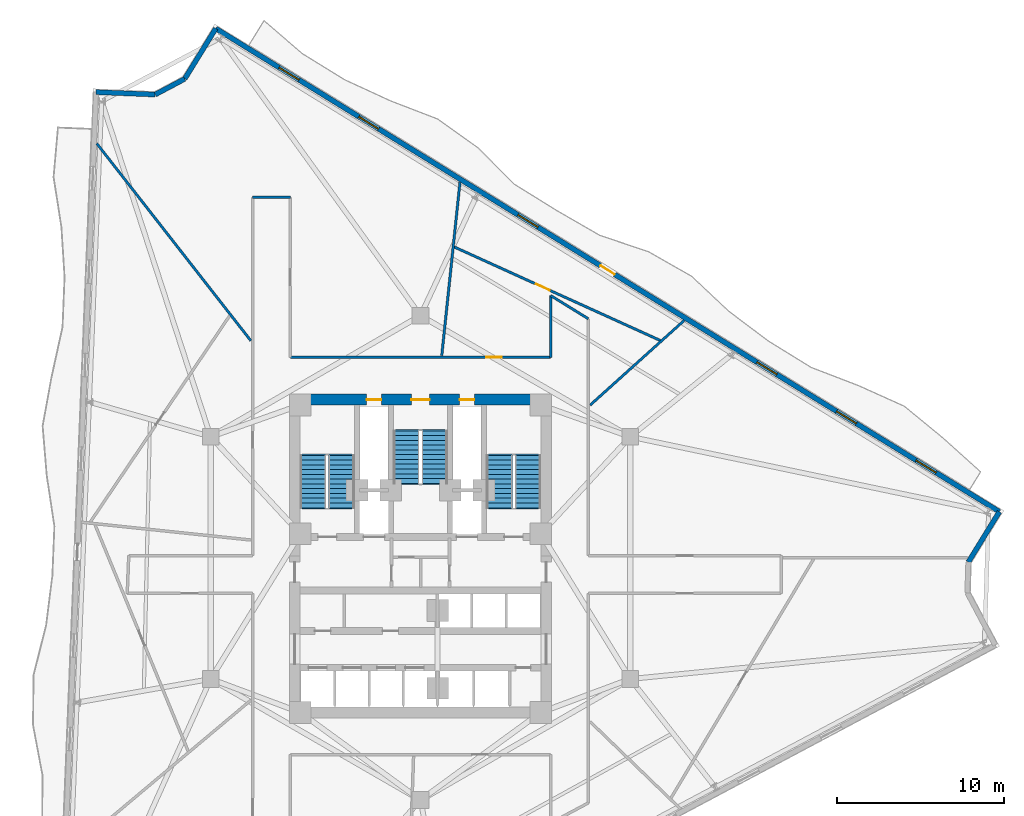
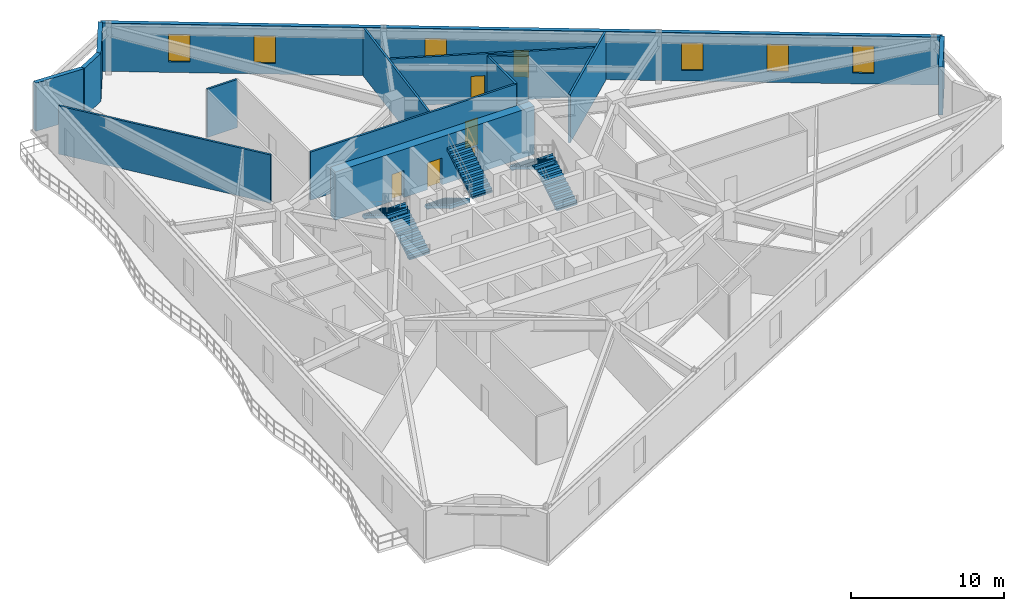
# One storey, part 7 of 10: 14 walls, 6 doors, 6 stair flights, 6 windows, 12 openings, 3 elements without a shape of their own.
"""IFC4 building model written with IfcOpenShell, lengths in metres."""

from ifc_helpers import new_model, si_unit, direction, frame, frame_2d, origin, place, context, subcontext, project, spatial, polyline, rectangle, outline, extrude, material, layer, layer_set, type_object, element, fill, aggregate, save


model = new_model("IFC4")

# Units and contexts
model_context = context("Model", 3, precision=1e-05, world=origin(), true_north=direction((0.0, 1.0)))
body_context = subcontext(model_context, "Body", "Model", "MODEL_VIEW")
ifc_project = project(units=[si_unit("LENGTHUNIT", "METRE"), si_unit("AREAUNIT", "SQUARE_METRE"), si_unit("VOLUMEUNIT", "CUBIC_METRE"), si_unit("PLANEANGLEUNIT", "RADIAN"), si_unit("MASSUNIT", "GRAM", prefix="KILO")], contexts=[model_context])

# Site, building, storey
site_placement = place(None, origin())
site = spatial("IfcSite", under=ifc_project, at=site_placement, CompositionType="ELEMENT")
building_placement = place(site_placement, origin())
building = spatial("IfcBuilding", under=site, at=building_placement, Name="Apsidion Concourse Tower", CompositionType="ELEMENT")
storey_placement = place(building_placement, frame((0.0, 0.0, 177.800048828125)))
storey = spatial("IfcBuildingStorey", under=building, at=storey_placement, Name="L41", CompositionType="ELEMENT", Elevation=177.800048828125)

# Wall, openings, door, windows
ifc_material_1 = material(Name="Precast concrete C40/50", Category="concrete")
ifc_layer_1 = layer(ifc_material_1, 0.300048828125)
ifc_layer_set_1 = layer_set([ifc_layer_1], Name="Precast concrete C40/50")
wall_type_1 = type_object("IfcWallType", Name="WL-EXT-300", PredefinedType="STANDARD", material=ifc_layer_set_1)
wall_1_placement = place(storey_placement, frame((-12.255126953125, 31.68896484375, 0.0), z_axis=(0.0, 0.0, 1.0), x_axis=(0.851166647402, -0.524895549944, 0.0)))
wall_1 = element("IfcWall", 1, at=wall_1_placement, inside=storey, type_object=wall_type_1, Name="L41 Precast Stone Facade Wall 01", PredefinedType="STANDARD", context=body_context, shape_type="SweptSolid", body=[
    extrude(rectangle(XDim=55.110595703125, YDim=0.300048828125, at=frame_2d((27.55517578125, 0.0))), origin(), (0.0, 0.0, 1.0), 3.849853515625),
])
opening_1_placement = place(wall_1_placement, frame((27.055419921875, 0.0, 0.0)))
opening_1 = element("IfcOpeningElement", 2, at=opening_1_placement, cuts=wall_1, Name="Opening D-T1R", PredefinedType="OPENING", context=body_context, shape_type="SweptSolid", body=[
    extrude(rectangle(XDim=1.0, YDim=2.14990234375, at=frame_2d((0.5, 1.074951171875))), frame((0.0, 0.16015625, 0.0), z_axis=(0.0, -1.0, 0.0), x_axis=(1.0, 0.0, 0.0)), (0.0, 0.0, 1.0), 0.320068359375),
])
opening_2_placement = place(wall_1_placement, frame((4.455322265625, 0.0, 0.85009765625)))
opening_2 = element("IfcOpeningElement", 3, at=opening_2_placement, cuts=wall_1, Name="Opening WN-05", PredefinedType="OPENING", context=body_context, shape_type="SweptSolid", body=[
    extrude(rectangle(XDim=1.39990234375, YDim=2.199951171875, at=frame_2d((0.699951171875, 1.10009765625))), frame((0.0, 0.16015625, 0.0), z_axis=(0.0, -1.0, 0.0), x_axis=(1.0, 0.0, 0.0)), (0.0, 0.0, 1.0), 0.320068359375),
])
opening_3_placement = place(wall_1_placement, frame((10.055419921875, 0.0, 0.85009765625)))
opening_3 = element("IfcOpeningElement", 4, at=opening_3_placement, cuts=wall_1, Name="Opening WN-05", PredefinedType="OPENING", context=body_context, shape_type="SweptSolid", body=[
    extrude(rectangle(XDim=1.39990234375, YDim=2.199951171875, at=frame_2d((0.699951171875, 1.10009765625))), frame((0.0, 0.16015625, 0.0), z_axis=(0.0, -1.0, 0.0), x_axis=(1.0, 0.0, 0.0)), (0.0, 0.0, 1.0), 0.320068359375),
])
opening_4_placement = place(wall_1_placement, frame((21.25537109375, 0.0, 0.85009765625)))
opening_4 = element("IfcOpeningElement", 5, at=opening_4_placement, cuts=wall_1, Name="Opening WN-05", PredefinedType="OPENING", context=body_context, shape_type="SweptSolid", body=[
    extrude(rectangle(XDim=1.39990234375, YDim=2.199951171875, at=frame_2d((0.699951171875, 1.10009765625))), frame((0.0, 0.16015625, 0.0), z_axis=(0.0, -1.0, 0.0), x_axis=(1.0, 0.0, 0.0)), (0.0, 0.0, 1.0), 0.320068359375),
])
opening_5_placement = place(wall_1_placement, frame((38.055419921875, 0.0, 0.85009765625)))
opening_5 = element("IfcOpeningElement", 6, at=opening_5_placement, cuts=wall_1, Name="Opening WN-05", PredefinedType="OPENING", context=body_context, shape_type="SweptSolid", body=[
    extrude(rectangle(XDim=1.39990234375, YDim=2.199951171875, at=frame_2d((0.699951171875, 1.10009765625))), frame((0.0, 0.16015625, 0.0), z_axis=(0.0, -1.0, 0.0), x_axis=(1.0, 0.0, 0.0)), (0.0, 0.0, 1.0), 0.320068359375),
])
opening_6_placement = place(wall_1_placement, frame((43.6552734375, 0.0, 0.85009765625)))
opening_6 = element("IfcOpeningElement", 7, at=opening_6_placement, cuts=wall_1, Name="Opening WN-05", PredefinedType="OPENING", context=body_context, shape_type="SweptSolid", body=[
    extrude(rectangle(XDim=1.39990234375, YDim=2.199951171875, at=frame_2d((0.699951171875, 1.10009765625))), frame((0.0, 0.16015625, 0.0), z_axis=(0.0, -1.0, 0.0), x_axis=(1.0, 0.0, 0.0)), (0.0, 0.0, 1.0), 0.320068359375),
])
opening_7_placement = place(wall_1_placement, frame((49.25537109375, 0.0, 0.85009765625)))
opening_7 = element("IfcOpeningElement", 8, at=opening_7_placement, cuts=wall_1, Name="Opening WN-05", PredefinedType="OPENING", context=body_context, shape_type="SweptSolid", body=[
    extrude(rectangle(XDim=1.39990234375, YDim=2.199951171875, at=frame_2d((0.699951171875, 1.10009765625))), frame((0.0, 0.16015625, 0.0), z_axis=(0.0, -1.0, 0.0), x_axis=(1.0, 0.0, 0.0)), (0.0, 0.0, 1.0), 0.320068359375),
])
ifc_material_2 = material(Name="Anodised aluminium EN AW-6063 T6", Category="aluminium")
door_type_1 = type_object("IfcDoorType", Name="DR-TER-1022R", OperationType="SINGLE_SWING_RIGHT", PredefinedType="DOOR", material=ifc_material_2)
door_1_placement = place(opening_1_placement, origin())
door_1 = element("IfcDoor", 9, at=door_1_placement, inside=storey, type_object=door_type_1, Name="L41 Balcony Access Door 1", OperationType="SINGLE_SWING_RIGHT", OverallHeight=2.14990234375, OverallWidth=1.0, PredefinedType="DOOR", context=body_context, shape_type="SweptSolid", body=[
    extrude(rectangle(XDim=1.0, YDim=2.14990234375, at=frame_2d((0.5, 1.074951171875))), frame((0.0, 0.02490234375, 0.0), z_axis=(0.0, -1.0, 0.0), x_axis=(1.0, 0.0, 0.0)), (0.0, 0.0, 1.0), 0.050048828125),
])
fill(opening_1, door_1)
ifc_material_3 = material(Name="Insulated laminated low-E glass", Category="glass")
window_type = type_object("IfcWindowType", Name="WN-OFF-1424", PartitioningType="SINGLE_PANEL", PredefinedType="WINDOW", material=ifc_material_3)
window_1_placement = place(opening_2_placement, origin())
window_1 = element("IfcWindow", 10, at=window_1_placement, inside=storey, type_object=window_type, Name="L41 Punched Facade Window 1-01", OverallHeight=2.199951171875, OverallWidth=1.39990234375, PartitioningType="SINGLE_PANEL", PredefinedType="WINDOW", context=body_context, shape_type="SweptSolid", body=[
    extrude(rectangle(XDim=1.39990234375, YDim=2.199951171875, at=frame_2d((0.699951171875, 1.10009765625))), frame((0.0, 0.030029296875, 0.0), z_axis=(0.0, -1.0, 0.0), x_axis=(1.0, 0.0, 0.0)), (0.0, 0.0, 1.0), 0.06005859375),
])
fill(opening_2, window_1)
window_2_placement = place(opening_3_placement, origin())
window_2 = element("IfcWindow", 11, at=window_2_placement, inside=storey, type_object=window_type, Name="L41 Punched Facade Window 1-02", OverallHeight=2.199951171875, OverallWidth=1.39990234375, PartitioningType="SINGLE_PANEL", PredefinedType="WINDOW", context=body_context, shape_type="SweptSolid", body=[
    extrude(rectangle(XDim=1.39990234375, YDim=2.199951171875, at=frame_2d((0.699951171875, 1.10009765625))), frame((0.0, 0.030029296875, 0.0), z_axis=(0.0, -1.0, 0.0), x_axis=(1.0, 0.0, 0.0)), (0.0, 0.0, 1.0), 0.06005859375),
])
fill(opening_3, window_2)
window_3_placement = place(opening_4_placement, origin())
window_3 = element("IfcWindow", 12, at=window_3_placement, inside=storey, type_object=window_type, Name="L41 Punched Facade Window 1-04", OverallHeight=2.199951171875, OverallWidth=1.39990234375, PartitioningType="SINGLE_PANEL", PredefinedType="WINDOW", context=body_context, shape_type="SweptSolid", body=[
    extrude(rectangle(XDim=1.39990234375, YDim=2.199951171875, at=frame_2d((0.699951171875, 1.10009765625))), frame((0.0, 0.030029296875, 0.0), z_axis=(0.0, -1.0, 0.0), x_axis=(1.0, 0.0, 0.0)), (0.0, 0.0, 1.0), 0.06005859375),
])
fill(opening_4, window_3)
window_4_placement = place(opening_5_placement, origin())
window_4 = element("IfcWindow", 13, at=window_4_placement, inside=storey, type_object=window_type, Name="L41 Punched Facade Window 1-07", OverallHeight=2.199951171875, OverallWidth=1.39990234375, PartitioningType="SINGLE_PANEL", PredefinedType="WINDOW", context=body_context, shape_type="SweptSolid", body=[
    extrude(rectangle(XDim=1.39990234375, YDim=2.199951171875, at=frame_2d((0.699951171875, 1.10009765625))), frame((0.0, 0.030029296875, 0.0), z_axis=(0.0, -1.0, 0.0), x_axis=(1.0, 0.0, 0.0)), (0.0, 0.0, 1.0), 0.06005859375),
])
fill(opening_5, window_4)
window_5_placement = place(opening_6_placement, origin())
window_5 = element("IfcWindow", 14, at=window_5_placement, inside=storey, type_object=window_type, Name="L41 Punched Facade Window 1-08", OverallHeight=2.199951171875, OverallWidth=1.39990234375, PartitioningType="SINGLE_PANEL", PredefinedType="WINDOW", context=body_context, shape_type="SweptSolid", body=[
    extrude(rectangle(XDim=1.39990234375, YDim=2.199951171875, at=frame_2d((0.699951171875, 1.10009765625))), frame((0.0, 0.030029296875, 0.0), z_axis=(0.0, -1.0, 0.0), x_axis=(1.0, 0.0, 0.0)), (0.0, 0.0, 1.0), 0.06005859375),
])
fill(opening_6, window_5)
window_6_placement = place(opening_7_placement, origin())
window_6 = element("IfcWindow", 15, at=window_6_placement, inside=storey, type_object=window_type, Name="L41 Punched Facade Window 1-09", OverallHeight=2.199951171875, OverallWidth=1.39990234375, PartitioningType="SINGLE_PANEL", PredefinedType="WINDOW", context=body_context, shape_type="SweptSolid", body=[
    extrude(rectangle(XDim=1.39990234375, YDim=2.199951171875, at=frame_2d((0.699951171875, 1.10009765625))), frame((0.0, 0.030029296875, 0.0), z_axis=(0.0, -1.0, 0.0), x_axis=(1.0, 0.0, 0.0)), (0.0, 0.0, 1.0), 0.06005859375),
])
fill(opening_7, window_6)

# Walls
wall_2_placement = place(storey_placement, frame((34.653076171875, 2.76171875, 0.0), z_axis=(0.0, 0.0, 1.0), x_axis=(-0.524920336071, -0.85115136185, 0.0)))
element("IfcWall", 16, at=wall_2_placement, inside=storey, type_object=wall_type_1, Name="L41 Precast Stone Facade Wall 02", PredefinedType="STANDARD", context=body_context, shape_type="SweptSolid", body=[
    extrude(rectangle(XDim=3.541259765625, YDim=0.300048828125, at=frame_2d((1.7705078125, 0.0))), origin(), (0.0, 0.0, 1.0), 3.849853515625),
])
wall_3_placement = place(storey_placement, frame((-19.418212890625, 27.880126953125, 0.0), z_axis=(0.0, 0.0, 1.0), x_axis=(0.999167250485, -0.040802028853, 0.0)))
element("IfcWall", 17, at=wall_3_placement, inside=storey, type_object=wall_type_1, Name="L41 Precast Stone Facade Wall 10", PredefinedType="STANDARD", context=body_context, shape_type="SweptSolid", body=[
    extrude(rectangle(XDim=3.542236328125, YDim=0.300048828125, at=frame_2d((1.77099609375, 0.0))), origin(), (0.0, 0.0, 1.0), 3.849853515625),
])
wall_4_placement = place(storey_placement, frame((-15.87890625, 27.735595703125, 0.0), z_axis=(0.0, 0.0, 1.0), x_axis=(0.882930579665, 0.469503558552, 0.0)))
element("IfcWall", 18, at=wall_4_placement, inside=storey, type_object=wall_type_1, Name="L41 Precast Stone Facade Wall 11", PredefinedType="STANDARD", context=body_context, shape_type="SweptSolid", body=[
    extrude(rectangle(XDim=1.998291015625, YDim=0.300048828125, at=frame_2d((0.9990234375, 0.0))), origin(), (0.0, 0.0, 1.0), 3.849853515625),
])
wall_5_placement = place(storey_placement, frame((-14.114501953125, 28.673828125, 0.0), z_axis=(0.0, 0.0, 1.0), x_axis=(0.524897025004, 0.851165737763, 0.0)))
element("IfcWall", 19, at=wall_5_placement, inside=storey, type_object=wall_type_1, Name="L41 Precast Stone Facade Wall 12", PredefinedType="STANDARD", context=body_context, shape_type="SweptSolid", body=[
    extrude(rectangle(XDim=3.54248046875, YDim=0.300048828125, at=frame_2d((1.771240234375, 0.0))), origin(), (0.0, 0.0, 1.0), 3.849853515625),
])
ifc_material_4 = material(Name="Gypsum plasterboard partition")
ifc_layer_2 = layer(ifc_material_4, 0.14990234375)
ifc_layer_set_2 = layer_set([ifc_layer_2], Name="Gypsum plasterboard partition")
wall_type_2 = type_object("IfcWallType", Name="WL-INT-PAR-150", PredefinedType="PARTITIONING", material=ifc_layer_set_2)
wall_6_placement = place(storey_placement, frame((-10.050048828125, 21.580078125, 0.0), z_axis=(0.0, 0.0, 1.0), x_axis=(1.0, 0.0, 0.0)))
element("IfcWall", 20, at=wall_6_placement, inside=storey, type_object=wall_type_2, Name="L41 Interior Partition WL-L41-CORR-11", PredefinedType="PARTITIONING", context=body_context, shape_type="SweptSolid", body=[
    extrude(rectangle(XDim=2.260009765625, YDim=0.14990234375, at=frame_2d((1.1298828125, 0.0))), origin(), (0.0, 0.0, 1.0), 3.849853515625),
])

# Wall, opening, door
wall_7_placement = place(storey_placement, frame((-7.7900390625, 12.0, 0.0), z_axis=(0.0, 0.0, 1.0), x_axis=(1.0, 0.0, 0.0)))
wall_7 = element("IfcWall", 21, at=wall_7_placement, inside=storey, type_object=wall_type_2, Name="L41 Interior Partition WL-L41-CORR-13", PredefinedType="PARTITIONING", context=body_context, shape_type="SweptSolid", body=[
    extrude(rectangle(XDim=15.580078125, YDim=0.14990234375, at=frame_2d((7.7900390625, 0.0))), origin(), (0.0, 0.0, 1.0), 3.849853515625),
])
opening_8_placement = place(wall_7_placement, frame((11.718017578125, 0.0, 0.0)))
opening_8 = element("IfcOpeningElement", 22, at=opening_8_placement, cuts=wall_7, Name="Opening D-01R", PredefinedType="OPENING", context=body_context, shape_type="SweptSolid", body=[
    extrude(rectangle(XDim=0.949951171875, YDim=2.14990234375, at=frame_2d((0.47509765625, 1.074951171875))), frame((0.0, 0.0849609375, 0.0), z_axis=(0.0, -1.0, 0.0), x_axis=(1.0, 0.0, 0.0)), (0.0, 0.0, 1.0), 0.169921875),
])
ifc_material_5 = material(Name="Brushed stainless steel 316", Category="steel")
door_type_2 = type_object("IfcDoorType", Name="DR-INT-D01R", OperationType="SINGLE_SWING_RIGHT", PredefinedType="DOOR", material=ifc_material_5)
door_2_placement = place(opening_8_placement, origin())
door_2 = element("IfcDoor", 23, at=door_2_placement, inside=storey, type_object=door_type_2, Name="L41 Corridor Entry Door 06", OperationType="SINGLE_SWING_RIGHT", OverallHeight=2.14990234375, OverallWidth=0.949951171875, PredefinedType="DOOR", context=body_context, shape_type="SweptSolid", body=[
    extrude(rectangle(XDim=0.949951171875, YDim=2.14990234375, at=frame_2d((0.47509765625, 1.074951171875))), frame((0.0, 0.02490234375, 0.0), z_axis=(0.0, -1.0, 0.0), x_axis=(1.0, 0.0, 0.0)), (0.0, 0.0, 1.0), 0.050048828125),
])
fill(opening_8, door_2)

# Walls
wall_8_placement = place(storey_placement, frame((7.7900390625, 12.0, 0.0), z_axis=(0.0, 0.0, 1.0), x_axis=(0.0, 1.0, 0.0)))
element("IfcWall", 24, at=wall_8_placement, inside=storey, type_object=wall_type_2, Name="L41 Interior Partition WL-L41-CORR-14", PredefinedType="PARTITIONING", context=body_context, shape_type="SweptSolid", body=[
    extrude(rectangle(XDim=3.703125, YDim=0.14990234375, at=frame_2d((1.8515625, 0.0))), origin(), (0.0, 0.0, 1.0), 3.849853515625),
])
wall_9_placement = place(storey_placement, frame((7.7900390625, 15.703125, 0.0), z_axis=(0.0, 0.0, 1.0), x_axis=(0.851190724913, -0.52485650403, 0.0)))
element("IfcWall", 25, at=wall_9_placement, inside=storey, type_object=wall_type_2, Name="L41 Interior Partition WL-L41-CORR-15", PredefinedType="PARTITIONING", context=body_context, shape_type="SweptSolid", body=[
    extrude(rectangle(XDim=2.655029296875, YDim=0.14990234375, at=frame_2d((1.32763671875, 0.0))), origin(), (0.0, 0.0, 1.0), 3.849853515625),
])
wall_10_placement = place(storey_placement, frame((10.155029296875, 9.1435546875, 0.0), z_axis=(0.0, 0.0, 1.0), x_axis=(0.743141731871, 0.669134042141, 0.0)))
element("IfcWall", 26, at=wall_10_placement, inside=storey, type_object=wall_type_2, Name="L41 Interior Partition WL-L41-RAD-02-1", PredefinedType="PARTITIONING", context=body_context, shape_type="SweptSolid", body=[
    extrude(rectangle(XDim=7.567626953125, YDim=0.14990234375, at=frame_2d((3.78369140625, 0.0))), origin(), (0.0, 0.0, 1.0), 3.849853515625),
])
wall_11_placement = place(storey_placement, frame((1.272216796875, 12.10498046875, 0.0), z_axis=(0.0, 0.0, 1.0), x_axis=(0.104532516147, 0.994521469385, 0.0)))
element("IfcWall", 27, at=wall_11_placement, inside=storey, type_object=wall_type_2, Name="L41 Interior Partition WL-L41-RAD-03-1", PredefinedType="PARTITIONING", context=body_context, shape_type="SweptSolid", body=[
    extrude(rectangle(XDim=10.432861328125, YDim=0.14990234375, at=frame_2d((5.21630859375, 0.0))), origin(), (0.0, 0.0, 1.0), 3.849853515625),
])
wall_12_placement = place(storey_placement, frame((-10.155029296875, 12.997802734375, 0.0), z_axis=(0.0, 0.0, 1.0), x_axis=(-0.615665229035, 0.788007820874, 0.0)))
element("IfcWall", 28, at=wall_12_placement, inside=storey, type_object=wall_type_2, Name="L41 Interior Partition WL-L41-RAD-04-1", PredefinedType="PARTITIONING", context=body_context, shape_type="SweptSolid", body=[
    extrude(rectangle(XDim=14.98193359375, YDim=0.14990234375, at=frame_2d((7.490966796875, 0.0))), origin(), (0.0, 0.0, 1.0), 3.849853515625),
])

# Wall, opening, door
wall_13_placement = place(storey_placement, frame((14.39404296875, 12.994140625, 0.0), z_axis=(0.0, 0.0, 1.0), x_axis=(-0.910597602267, 0.413294092319, 0.0)))
wall_13 = element("IfcWall", 29, at=wall_13_placement, inside=storey, type_object=wall_type_2, Name="L41 Interior Partition WL-L41-CHD-OFS05", PredefinedType="PARTITIONING", context=body_context, shape_type="SweptSolid", body=[
    extrude(rectangle(XDim=13.629638671875, YDim=0.14990234375, at=frame_2d((6.81494140625, 0.0))), origin(), (0.0, 0.0, 1.0), 3.849853515625),
])
opening_9_placement = place(wall_13_placement, frame((7.31494140625, 0.0, 0.0)))
opening_9 = element("IfcOpeningElement", 30, at=opening_9_placement, cuts=wall_13, Name="Opening D-02R", PredefinedType="OPENING", context=body_context, shape_type="SweptSolid", body=[
    extrude(rectangle(XDim=0.89990234375, YDim=2.10009765625, at=frame_2d((0.449951171875, 1.050048828125))), frame((0.0, 0.0849609375, 0.0), z_axis=(0.0, -1.0, 0.0), x_axis=(1.0, 0.0, 0.0)), (0.0, 0.0, 1.0), 0.169921875),
])
door_type_3 = type_object("IfcDoorType", Name="DR-INT-D02R", OperationType="SINGLE_SWING_RIGHT", PredefinedType="DOOR", material=ifc_material_2)
door_3_placement = place(opening_9_placement, origin())
door_3 = element("IfcDoor", 31, at=door_3_placement, inside=storey, type_object=door_type_3, Name="L41 Suite Connecting Door OFS05", OperationType="SINGLE_SWING_RIGHT", OverallHeight=2.10009765625, OverallWidth=0.89990234375, PredefinedType="DOOR", context=body_context, shape_type="SweptSolid", body=[
    extrude(rectangle(XDim=0.89990234375, YDim=2.10009765625, at=frame_2d((0.449951171875, 1.050048828125))), frame((0.0, 0.02490234375, 0.0), z_axis=(0.0, -1.0, 0.0), x_axis=(1.0, 0.0, 0.0)), (0.0, 0.0, 1.0), 0.050048828125),
])
fill(opening_9, door_3)

# Wall, openings, doors
ifc_material_6 = material(Name="Concrete C50/60", Category="concrete")
ifc_layer_3 = layer(ifc_material_6, 0.64990234375)
ifc_layer_set_3 = layer_set([ifc_layer_3], Name="Concrete C50/60")
wall_type_3 = type_object("IfcWallType", Name="WL-SH-650", PredefinedType="SHEAR", material=ifc_layer_set_3)
wall_14_placement = place(storey_placement, frame((-7.52490234375, 9.47509765625, 0.0), z_axis=(0.0, 0.0, 1.0), x_axis=(1.0, 0.0, 0.0)))
wall_14 = element("IfcWall", 32, at=wall_14_placement, inside=storey, type_object=wall_type_3, Name="L41 Central Core Shear Wall N", PredefinedType="SHEAR", context=body_context, shape_type="SweptSolid", body=[
    extrude(rectangle(XDim=15.0498046875, YDim=0.64990234375, at=frame_2d((7.52490234375, 0.0))), origin(), (0.0, 0.0, 1.0), 3.849853515625),
])
opening_10_placement = place(wall_14_placement, frame((6.97509765625, 0.0, 0.0)))
opening_10 = element("IfcOpeningElement", 33, at=opening_10_placement, cuts=wall_14, Name="Opening D-STL", PredefinedType="OPENING", context=body_context, shape_type="SweptSolid", body=[
    extrude(rectangle(XDim=1.10009765625, YDim=2.14990234375, at=frame_2d((0.550048828125, 1.074951171875))), frame((0.0, 0.3349609375, 0.0), z_axis=(0.0, -1.0, 0.0), x_axis=(1.0, 0.0, 0.0)), (0.0, 0.0, 1.0), 0.669921875),
])
opening_11_placement = place(wall_14_placement, frame((4.304931640625, 0.0, 0.0)))
opening_11 = element("IfcOpeningElement", 34, at=opening_11_placement, cuts=wall_14, Name="Opening D-05L", PredefinedType="OPENING", context=body_context, shape_type="SweptSolid", body=[
    extrude(rectangle(XDim=0.8798828125, YDim=2.14990234375, at=frame_2d((0.43994140625, 1.074951171875))), frame((0.0, 0.3349609375, 0.0), z_axis=(0.0, -1.0, 0.0), x_axis=(1.0, 0.0, 0.0)), (0.0, 0.0, 1.0), 0.669921875),
])
opening_12_placement = place(wall_14_placement, frame((9.864990234375, 0.0, 0.0)))
opening_12 = element("IfcOpeningElement", 35, at=opening_12_placement, cuts=wall_14, Name="Opening D-05R", PredefinedType="OPENING", context=body_context, shape_type="SweptSolid", body=[
    extrude(rectangle(XDim=0.8798828125, YDim=2.14990234375, at=frame_2d((0.43994140625, 1.074951171875))), frame((0.0, 0.3349609375, 0.0), z_axis=(0.0, -1.0, 0.0), x_axis=(1.0, 0.0, 0.0)), (0.0, 0.0, 1.0), 0.669921875),
])
door_type_4 = type_object("IfcDoorType", Name="DR-INT-D05L", OperationType="SINGLE_SWING_LEFT", PredefinedType="DOOR", material=ifc_material_5)
door_4_placement = place(opening_11_placement, origin())
door_4 = element("IfcDoor", 36, at=door_4_placement, inside=storey, type_object=door_type_4, Name="L41 Electrical Riser Shaft Access Door", OperationType="SINGLE_SWING_LEFT", OverallHeight=2.14990234375, OverallWidth=0.8798828125, PredefinedType="DOOR", context=body_context, shape_type="SweptSolid", body=[
    extrude(rectangle(XDim=0.8798828125, YDim=2.14990234375, at=frame_2d((0.43994140625, 1.074951171875))), frame((0.0, 0.02490234375, 0.0), z_axis=(0.0, -1.0, 0.0), x_axis=(1.0, 0.0, 0.0)), (0.0, 0.0, 1.0), 0.050048828125),
])
fill(opening_11, door_4)
door_type_5 = type_object("IfcDoorType", Name="DR-INT-D05R", OperationType="SINGLE_SWING_RIGHT", PredefinedType="DOOR", material=ifc_material_5)
door_5_placement = place(opening_12_placement, origin())
door_5 = element("IfcDoor", 37, at=door_5_placement, inside=storey, type_object=door_type_5, Name="L41 Mechanical Riser Shaft Access Door", OperationType="SINGLE_SWING_RIGHT", OverallHeight=2.14990234375, OverallWidth=0.8798828125, PredefinedType="DOOR", context=body_context, shape_type="SweptSolid", body=[
    extrude(rectangle(XDim=0.8798828125, YDim=2.14990234375, at=frame_2d((0.43994140625, 1.074951171875))), frame((0.0, 0.02490234375, 0.0), z_axis=(0.0, -1.0, 0.0), x_axis=(1.0, 0.0, 0.0)), (0.0, 0.0, 1.0), 0.050048828125),
])
fill(opening_12, door_5)
door_type_6 = type_object("IfcDoorType", Name="DR-INT-ST1L", OperationType="SINGLE_SWING_LEFT", PredefinedType="DOOR", material=ifc_material_5)
door_6_placement = place(opening_10_placement, origin())
door_6 = element("IfcDoor", 38, at=door_6_placement, inside=storey, type_object=door_type_6, Name="L41 Core Exit Stair ST3 Door", OperationType="SINGLE_SWING_LEFT", OverallHeight=2.14990234375, OverallWidth=1.10009765625, PredefinedType="DOOR", context=body_context, shape_type="SweptSolid", body=[
    extrude(rectangle(XDim=1.10009765625, YDim=2.14990234375, at=frame_2d((0.550048828125, 1.074951171875))), frame((0.0, 0.02490234375, 0.0), z_axis=(0.0, -1.0, 0.0), x_axis=(1.0, 0.0, 0.0)), (0.0, 0.0, 1.0), 0.050048828125),
])
fill(opening_10, door_6)

# Stair, stair flights
stair_type = type_object("IfcStairType", Name="ST-DL-1550", PredefinedType="HALF_TURN_STAIR", material=ifc_material_1)
stair_1_placement = place(storey_placement, origin())
stair_1 = element("IfcStair", 39, at=stair_1_placement, inside=storey, type_object=stair_type, Name="L41 Protected Core Exit Stair ST1", PredefinedType="HALF_TURN_STAIR")
stair_flight_type = type_object("IfcStairFlightType", Name="SFL-RC-1550", PredefinedType="STRAIGHT", material=ifc_material_1)
stair_flight_1_placement = place(storey_placement, frame((-4.72509765625, 3.0, 0.0), z_axis=(0.0, 0.0, 1.0), x_axis=(0.0, 1.0, 0.0)))
stair_flight_1 = element("IfcStairFlight", 40, at=stair_flight_1_placement, type_object=stair_flight_type, Name="ST1 flight 1", NumberOfRisers=12, NumberOfTreads=11, PredefinedType="STRAIGHT", RiserHeight=0.170833333, TreadLength=0.285, context=body_context, shape_type="SweptSolid", body=[
    extrude(outline(polyline([(-0.080078125, -0.1123046875), (-0.080078125, 0.0), (0.0, 0.0), (0.0, 0.1708984375), (0.284912109375, 0.1708984375), (0.284912109375, 0.341552734375), (0.570068359375, 0.341552734375), (0.570068359375, 0.512451171875), (0.85498046875, 0.512451171875), (0.85498046875, 0.683349609375), (1.139892578125, 0.683349609375), (1.139892578125, 0.854248046875), (1.425048828125, 0.854248046875), (1.425048828125, 1.02490234375), (1.7099609375, 1.02490234375), (1.7099609375, 1.19580078125), (1.9951171875, 1.19580078125), (1.9951171875, 1.36669921875), (2.280029296875, 1.36669921875), (2.280029296875, 1.53759765625), (2.56494140625, 1.53759765625), (2.56494140625, 1.708251953125), (2.85009765625, 1.708251953125), (2.85009765625, 1.879150390625), (3.135009765625, 1.879150390625), (3.135009765625, 2.050048828125), (3.215087890625, 1.964599609375), (3.215087890625, 1.704345703125), (3.135009765625, 1.704345703125), (0.29150390625, 0.0), (0.29150390625, -0.1123046875), (-0.080078125, -0.1123046875)])), frame((0.0, 0.77490234375, 0.0), z_axis=(0.0, -1.0, 0.0), x_axis=(1.0, 0.0, 0.0)), (0.0, 0.0, 1.0), 1.550048828125),
])
stair_flight_2_placement = place(storey_placement, frame((-6.425048828125, 6.135009765625, 2.050048828125), z_axis=(0.0, 0.0, 1.0), x_axis=(0.0, -1.0, 0.0)))
stair_flight_2 = element("IfcStairFlight", 41, at=stair_flight_2_placement, type_object=stair_flight_type, Name="ST1 flight 2", NumberOfRisers=12, NumberOfTreads=11, PredefinedType="STRAIGHT", RiserHeight=0.170833333, TreadLength=0.285, context=body_context, shape_type="SweptSolid", body=[
    extrude(outline(polyline([(-0.080078125, -0.1123046875), (-0.080078125, 0.0), (0.0, 0.0), (0.0, 0.1708984375), (0.284912109375, 0.1708984375), (0.284912109375, 0.341552734375), (0.570068359375, 0.341552734375), (0.570068359375, 0.512451171875), (0.85498046875, 0.512451171875), (0.85498046875, 0.683349609375), (1.139892578125, 0.683349609375), (1.139892578125, 0.854248046875), (1.425048828125, 0.854248046875), (1.425048828125, 1.02490234375), (1.7099609375, 1.02490234375), (1.7099609375, 1.19580078125), (1.9951171875, 1.19580078125), (1.9951171875, 1.36669921875), (2.280029296875, 1.36669921875), (2.280029296875, 1.53759765625), (2.56494140625, 1.53759765625), (2.56494140625, 1.708251953125), (2.85009765625, 1.708251953125), (2.85009765625, 1.879150390625), (3.135009765625, 1.879150390625), (3.135009765625, 2.050048828125), (3.215087890625, 1.964599609375), (3.215087890625, 1.704345703125), (3.135009765625, 1.704345703125), (0.29150390625, 0.0), (0.29150390625, -0.1123046875), (-0.080078125, -0.1123046875)])), frame((0.0, 0.77490234375, 0.0), z_axis=(0.0, -1.0, 0.0), x_axis=(1.0, 0.0, 0.0)), (0.0, 0.0, 1.0), 1.550048828125),
])
aggregate(stair_1, [stair_flight_1, stair_flight_2])

stair_2_placement = place(storey_placement, origin())
stair_2 = element("IfcStair", 42, at=stair_2_placement, inside=storey, type_object=stair_type, Name="L41 Protected Core Exit Stair ST2", PredefinedType="HALF_TURN_STAIR")
stair_flight_3_placement = place(storey_placement, frame((6.425048828125, 3.0, 0.0), z_axis=(0.0, 0.0, 1.0), x_axis=(0.0, 1.0, 0.0)))
stair_flight_3 = element("IfcStairFlight", 43, at=stair_flight_3_placement, type_object=stair_flight_type, Name="ST2 flight 1", NumberOfRisers=12, NumberOfTreads=11, PredefinedType="STRAIGHT", RiserHeight=0.170833333, TreadLength=0.285, context=body_context, shape_type="SweptSolid", body=[
    extrude(outline(polyline([(-0.080078125, -0.1123046875), (-0.080078125, 0.0), (0.0, 0.0), (0.0, 0.1708984375), (0.284912109375, 0.1708984375), (0.284912109375, 0.341552734375), (0.570068359375, 0.341552734375), (0.570068359375, 0.512451171875), (0.85498046875, 0.512451171875), (0.85498046875, 0.683349609375), (1.139892578125, 0.683349609375), (1.139892578125, 0.854248046875), (1.425048828125, 0.854248046875), (1.425048828125, 1.02490234375), (1.7099609375, 1.02490234375), (1.7099609375, 1.19580078125), (1.9951171875, 1.19580078125), (1.9951171875, 1.36669921875), (2.280029296875, 1.36669921875), (2.280029296875, 1.53759765625), (2.56494140625, 1.53759765625), (2.56494140625, 1.708251953125), (2.85009765625, 1.708251953125), (2.85009765625, 1.879150390625), (3.135009765625, 1.879150390625), (3.135009765625, 2.050048828125), (3.215087890625, 1.964599609375), (3.215087890625, 1.704345703125), (3.135009765625, 1.704345703125), (0.29150390625, 0.0), (0.29150390625, -0.1123046875), (-0.080078125, -0.1123046875)])), frame((0.0, 0.77490234375, 0.0), z_axis=(0.0, -1.0, 0.0), x_axis=(1.0, 0.0, 0.0)), (0.0, 0.0, 1.0), 1.550048828125),
])
stair_flight_4_placement = place(storey_placement, frame((4.72509765625, 6.135009765625, 2.050048828125), z_axis=(0.0, 0.0, 1.0), x_axis=(0.0, -1.0, 0.0)))
stair_flight_4 = element("IfcStairFlight", 44, at=stair_flight_4_placement, type_object=stair_flight_type, Name="ST2 flight 2", NumberOfRisers=12, NumberOfTreads=11, PredefinedType="STRAIGHT", RiserHeight=0.170833333, TreadLength=0.285, context=body_context, shape_type="SweptSolid", body=[
    extrude(outline(polyline([(-0.080078125, -0.1123046875), (-0.080078125, 0.0), (0.0, 0.0), (0.0, 0.1708984375), (0.284912109375, 0.1708984375), (0.284912109375, 0.341552734375), (0.570068359375, 0.341552734375), (0.570068359375, 0.512451171875), (0.85498046875, 0.512451171875), (0.85498046875, 0.683349609375), (1.139892578125, 0.683349609375), (1.139892578125, 0.854248046875), (1.425048828125, 0.854248046875), (1.425048828125, 1.02490234375), (1.7099609375, 1.02490234375), (1.7099609375, 1.19580078125), (1.9951171875, 1.19580078125), (1.9951171875, 1.36669921875), (2.280029296875, 1.36669921875), (2.280029296875, 1.53759765625), (2.56494140625, 1.53759765625), (2.56494140625, 1.708251953125), (2.85009765625, 1.708251953125), (2.85009765625, 1.879150390625), (3.135009765625, 1.879150390625), (3.135009765625, 2.050048828125), (3.215087890625, 1.964599609375), (3.215087890625, 1.704345703125), (3.135009765625, 1.704345703125), (0.29150390625, 0.0), (0.29150390625, -0.1123046875), (-0.080078125, -0.1123046875)])), frame((0.0, 0.77490234375, 0.0), z_axis=(0.0, -1.0, 0.0), x_axis=(1.0, 0.0, 0.0)), (0.0, 0.0, 1.0), 1.550048828125),
])
aggregate(stair_2, [stair_flight_3, stair_flight_4])

stair_3_placement = place(storey_placement, origin())
stair_3 = element("IfcStair", 45, at=stair_3_placement, inside=storey, type_object=stair_type, Name="L41 Protected Core Exit Stair ST3", PredefinedType="HALF_TURN_STAIR")
stair_flight_5_placement = place(storey_placement, frame((-0.85009765625, 7.60009765625, 0.0), z_axis=(0.0, 0.0, 1.0), x_axis=(0.0, -1.0, 0.0)))
stair_flight_5 = element("IfcStairFlight", 46, at=stair_flight_5_placement, type_object=stair_flight_type, Name="ST3 flight 1", NumberOfRisers=12, NumberOfTreads=11, PredefinedType="STRAIGHT", RiserHeight=0.170833333, TreadLength=0.285, context=body_context, shape_type="SweptSolid", body=[
    extrude(outline(polyline([(-0.080078125, -0.1123046875), (-0.080078125, 0.0), (0.0, 0.0), (0.0, 0.1708984375), (0.284912109375, 0.1708984375), (0.284912109375, 0.341552734375), (0.570068359375, 0.341552734375), (0.570068359375, 0.512451171875), (0.85498046875, 0.512451171875), (0.85498046875, 0.683349609375), (1.139892578125, 0.683349609375), (1.139892578125, 0.854248046875), (1.425048828125, 0.854248046875), (1.425048828125, 1.02490234375), (1.7099609375, 1.02490234375), (1.7099609375, 1.19580078125), (1.9951171875, 1.19580078125), (1.9951171875, 1.36669921875), (2.280029296875, 1.36669921875), (2.280029296875, 1.53759765625), (2.56494140625, 1.53759765625), (2.56494140625, 1.708251953125), (2.85009765625, 1.708251953125), (2.85009765625, 1.879150390625), (3.135009765625, 1.879150390625), (3.135009765625, 2.050048828125), (3.215087890625, 1.964599609375), (3.215087890625, 1.704345703125), (3.135009765625, 1.704345703125), (0.29150390625, 0.0), (0.29150390625, -0.1123046875), (-0.080078125, -0.1123046875)])), frame((0.0, 0.77490234375, 0.0), z_axis=(0.0, -1.0, 0.0), x_axis=(1.0, 0.0, 0.0)), (0.0, 0.0, 1.0), 1.550048828125),
])
stair_flight_6_placement = place(storey_placement, frame((0.85009765625, 4.465087890625, 2.050048828125), z_axis=(0.0, 0.0, 1.0), x_axis=(0.0, 1.0, 0.0)))
stair_flight_6 = element("IfcStairFlight", 47, at=stair_flight_6_placement, type_object=stair_flight_type, Name="ST3 flight 2", NumberOfRisers=12, NumberOfTreads=11, PredefinedType="STRAIGHT", RiserHeight=0.170833333, TreadLength=0.285, context=body_context, shape_type="SweptSolid", body=[
    extrude(outline(polyline([(-0.080078125, -0.1123046875), (-0.080078125, 0.0), (0.0, 0.0), (0.0, 0.1708984375), (0.284912109375, 0.1708984375), (0.284912109375, 0.341552734375), (0.570068359375, 0.341552734375), (0.570068359375, 0.512451171875), (0.85498046875, 0.512451171875), (0.85498046875, 0.683349609375), (1.139892578125, 0.683349609375), (1.139892578125, 0.854248046875), (1.425048828125, 0.854248046875), (1.425048828125, 1.02490234375), (1.7099609375, 1.02490234375), (1.7099609375, 1.19580078125), (1.9951171875, 1.19580078125), (1.9951171875, 1.36669921875), (2.280029296875, 1.36669921875), (2.280029296875, 1.53759765625), (2.56494140625, 1.53759765625), (2.56494140625, 1.708251953125), (2.85009765625, 1.708251953125), (2.85009765625, 1.879150390625), (3.135009765625, 1.879150390625), (3.135009765625, 2.050048828125), (3.215087890625, 1.964599609375), (3.215087890625, 1.704345703125), (3.135009765625, 1.704345703125), (0.29150390625, 0.0), (0.29150390625, -0.1123046875), (-0.080078125, -0.1123046875)])), frame((0.0, 0.77490234375, 0.0), z_axis=(0.0, -1.0, 0.0), x_axis=(1.0, 0.0, 0.0)), (0.0, 0.0, 1.0), 1.550048828125),
])
aggregate(stair_3, [stair_flight_5, stair_flight_6])

save(model, "model.ifc")
